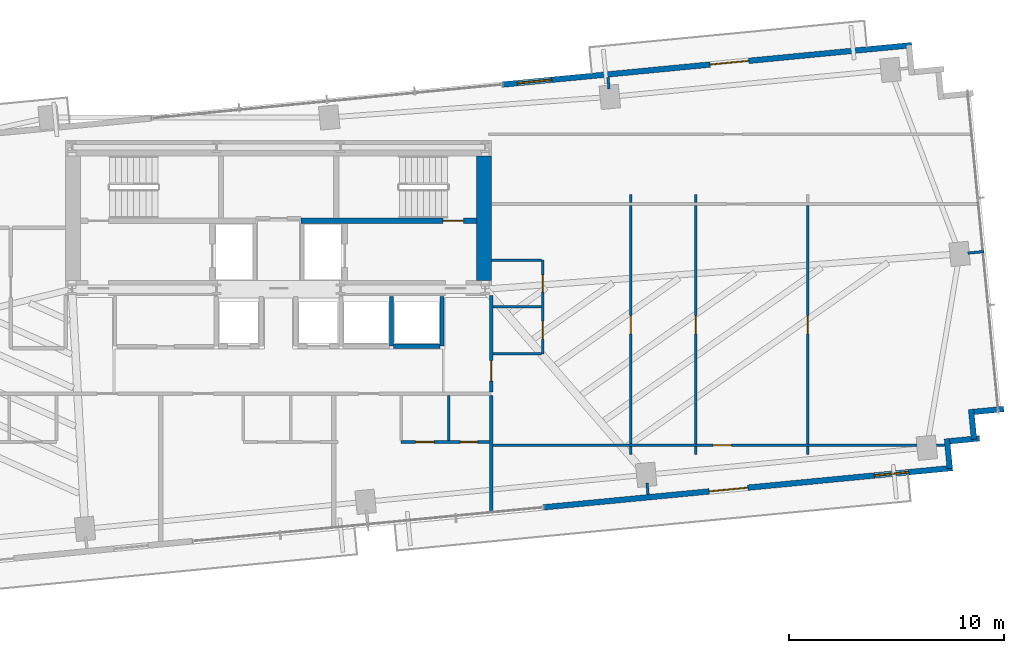
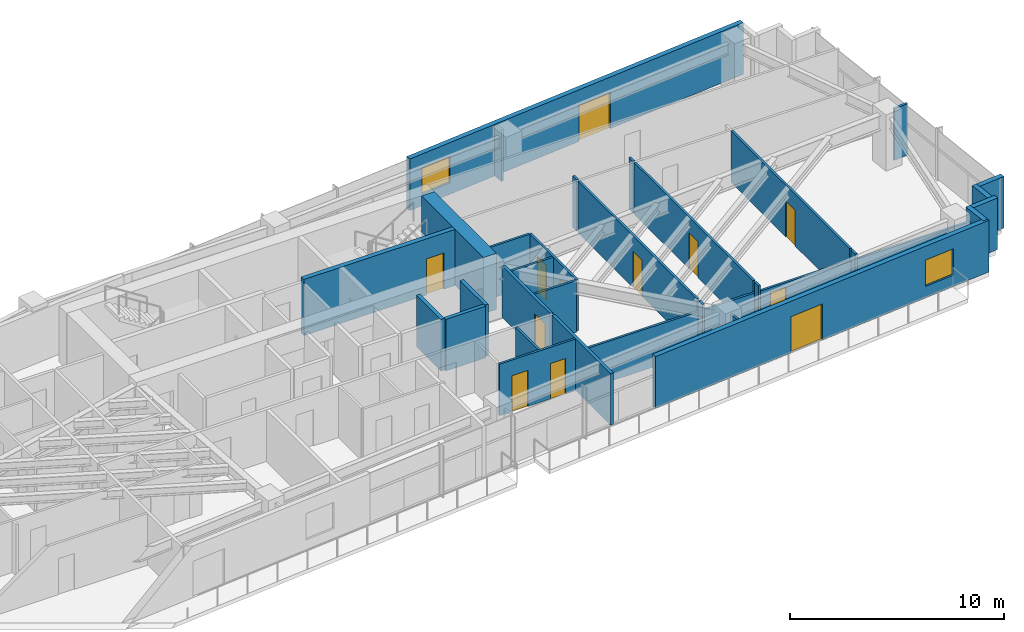
# One storey, part 21 of 25: 31 walls, 12 doors, 2 windows, 14 openings.
"""IFC4 building model written with IfcOpenShell, lengths in metres."""

from ifc_helpers import new_model, si_unit, direction, frame, frame_2d, origin, place, context, subcontext, project, spatial, rectangle, extrude, source, transform, mapped, material, layer, layer_set, type_object, type_shapes, element, fill, save


model = new_model("IFC4")

# Units and contexts
model_context = context("Model", 3, precision=1e-05, world=origin(), true_north=direction((0.0, 1.0)))
body_context = subcontext(model_context, "Body", "Model", "MODEL_VIEW")
ifc_project = project(units=[si_unit("LENGTHUNIT", "METRE"), si_unit("AREAUNIT", "SQUARE_METRE"), si_unit("VOLUMEUNIT", "CUBIC_METRE"), si_unit("PLANEANGLEUNIT", "RADIAN"), si_unit("MASSUNIT", "GRAM", prefix="KILO")], contexts=[model_context])

# Site, building, storey
site_placement = place(None, origin())
site = spatial("IfcSite", under=ifc_project, at=site_placement, CompositionType="ELEMENT")
building_placement = place(site_placement, origin())
building = spatial("IfcBuilding", under=site, at=building_placement, Name="Astriad Promenade Condominiums", CompositionType="ELEMENT")
storey_placement = place(building_placement, frame((0.0, 0.0, 106.60009765625)))
storey = spatial("IfcBuildingStorey", under=building, at=storey_placement, Name="L30", CompositionType="ELEMENT", Elevation=106.60009765625)

# Wall
ifc_material_1 = material(Name="Concrete C60/75", Category="concrete")
ifc_layer_1 = layer(ifc_material_1, 0.699951171875)
ifc_layer_set_1 = layer_set([ifc_layer_1], Name="Concrete C60/75")
wall_type_1 = type_object("IfcWallType", Name="CW-SHEAR-700", PredefinedType="SHEAR", material=ifc_layer_set_1)
wall_1_placement = place(storey_placement, frame((45.550048828125, 17.802001953125, 0.0), z_axis=(0.0, 0.0, 1.0), x_axis=(0.0, 1.0, 0.0)))
element("IfcWall", 1, at=wall_1_placement, inside=storey, type_object=wall_type_1, Name="CW-CORE-E-L30", PredefinedType="SHEAR", context=body_context, shape_type="SweptSolid", body=[
    extrude(rectangle(XDim=5.7958984375, YDim=0.699951171875, at=frame_2d((2.89794921875, 0.0))), origin(), (0.0, 0.0, 1.0), 3.199951171875),
])

# Wall, opening, door
ifc_material_2 = material(Name="Concrete C50/60", Category="concrete")
ifc_layer_2 = layer(ifc_material_2, 0.25)
ifc_layer_set_2 = layer_set([ifc_layer_2], Name="Concrete C50/60")
wall_type_2 = type_object("IfcWallType", Name="WALL-CORE-INT-250", PredefinedType="SOLIDWALL", material=ifc_layer_set_2)
wall_2_placement = place(storey_placement, frame((37.050048828125, 20.574951171875, 0.0), z_axis=(0.0, 0.0, 1.0), x_axis=(1.0, 0.0, 0.0)))
wall_2 = element("IfcWall", 2, at=wall_2_placement, inside=storey, type_object=wall_type_2, Name="CW-INT-H2-L30", PredefinedType="SOLIDWALL", context=body_context, shape_type="SweptSolid", body=[
    extrude(rectangle(XDim=8.14794921875, YDim=0.25, at=frame_2d((4.073974609375, 0.0))), origin(), (0.0, 0.0, 1.0), 3.199951171875),
])
opening_1_placement = place(wall_2_placement, frame((6.60009765625, 0.0, 0.0)))
opening_1 = element("IfcOpeningElement", 3, at=opening_1_placement, cuts=wall_2, Name="Opening FD90-ST-095", PredefinedType="OPENING", context=body_context, shape_type="SweptSolid", body=[
    extrude(rectangle(XDim=0.949951171875, YDim=2.06005859375, at=frame_2d((0.47509765625, 1.030029296875))), frame((0.0, 0.135009765625, 0.0), z_axis=(0.0, -1.0, 0.0), x_axis=(1.0, 0.0, 0.0)), (0.0, 0.0, 1.0), 0.27001953125),
])
ifc_material_3 = material(Name="Fire-Rated Hollow Metal Stair Door")
door_type_1 = type_object("IfcDoorType", Name="FD90-ST-095", OperationType="NOTDEFINED", PredefinedType="DOOR", material=ifc_material_3)
shared_shape_1 = source(origin(), body_context, "Body", "SweptSolid", [
    extrude(rectangle(XDim=0.949951171875, YDim=2.06005859375, at=frame_2d((0.47509765625, 1.030029296875))), frame((0.0, 0.02490234375, 0.0), z_axis=(0.0, -1.0, 0.0), x_axis=(1.0, 0.0, 0.0)), (0.0, 0.0, 1.0), 0.050048828125),
])
type_shapes(door_type_1, [shared_shape_1])
door_1_placement = place(opening_1_placement, origin())
door_1 = element("IfcDoor", 4, at=door_1_placement, inside=storey, type_object=door_type_1, Name="D-ST2-L30", OperationType="SINGLE_SWING_LEFT", OverallHeight=2.06005859375, OverallWidth=0.949951171875, PredefinedType="DOOR", context=body_context, shape_type="MappedRepresentation", body=[
    mapped(shared_shape_1, transform((0.0, 0.0, 0.0), scale=1.0)),
])
fill(opening_1, door_1)

# Wall
ifc_material_4 = material(Name="Fire-Rated Gypsum Partition")
ifc_layer_3 = layer(ifc_material_4, 0.159912109375)
ifc_layer_set_3 = layer_set([ifc_layer_3], Name="Fire-Rated Gypsum Partition")
wall_type_3 = type_object("IfcWallType", Name="WALL-CORR-160", PredefinedType="PARTITIONING", material=ifc_layer_set_3)
wall_3_placement = place(storey_placement, frame((45.8798828125, 6.977294921875, 0.0), z_axis=(0.0, 0.0, 1.0), x_axis=(0.0, 1.0, 0.0)))
element("IfcWall", 5, at=wall_3_placement, inside=storey, type_object=wall_type_3, Name="PT-COR-E-L30", PredefinedType="PARTITIONING", context=body_context, shape_type="SweptSolid", body=[
    extrude(rectangle(XDim=5.49072265625, YDim=0.159912109375, at=frame_2d((2.745361328125, 0.0))), origin(), (0.0, 0.0, 1.0), 2.93994140625),
])

# Wall, opening, door
wall_4_placement = place(storey_placement, frame((45.8798828125, 12.632080078125, 0.0), z_axis=(0.0, 0.0, 1.0), x_axis=(0.0, 1.0, 0.0)))
wall_4 = element("IfcWall", 6, at=wall_4_placement, inside=storey, type_object=wall_type_3, Name="PT-COR-E-L30-S2", PredefinedType="PARTITIONING", context=body_context, shape_type="SweptSolid", body=[
    extrude(rectangle(XDim=4.4658203125, YDim=0.159912109375, at=frame_2d((2.23291015625, 0.0))), origin(), (0.0, 0.0, 1.0), 2.93994140625),
])
opening_2_placement = place(wall_4_placement, frame((0.492919921875, 0.0, 0.0)))
opening_2 = element("IfcOpeningElement", 7, at=opening_2_placement, cuts=wall_4, Name="Opening FD60-APT-095", PredefinedType="OPENING", context=body_context, shape_type="SweptSolid", body=[
    extrude(rectangle(XDim=0.949951171875, YDim=2.06005859375, at=frame_2d((0.47509765625, 1.030029296875))), frame((0.0, 0.08984375, 0.0), z_axis=(0.0, -1.0, 0.0), x_axis=(1.0, 0.0, 0.0)), (0.0, 0.0, 1.0), 0.179931640625),
])
ifc_material_5 = material(Name="Solid-Core Acoustic Timber Residence Entry Door", Category="wood")
door_type_2 = type_object("IfcDoorType", Name="FD60-APT-095", OperationType="NOTDEFINED", PredefinedType="DOOR", material=ifc_material_5)
shared_shape_2 = source(origin(), body_context, "Body", "SweptSolid", [
    extrude(rectangle(XDim=0.949951171875, YDim=2.06005859375, at=frame_2d((0.47509765625, 1.030029296875))), frame((0.0, 0.02490234375, 0.0), z_axis=(0.0, -1.0, 0.0), x_axis=(1.0, 0.0, 0.0)), (0.0, 0.0, 1.0), 0.050048828125),
])
type_shapes(door_type_2, [shared_shape_2])
door_2_placement = place(opening_2_placement, origin())
door_2 = element("IfcDoor", 8, at=door_2_placement, inside=storey, type_object=door_type_2, Name="D-ENT-L30-E1", OperationType="SINGLE_SWING_LEFT", OverallHeight=2.06005859375, OverallWidth=0.949951171875, PredefinedType="DOOR", context=body_context, shape_type="MappedRepresentation", body=[
    mapped(shared_shape_2, transform((0.0, 0.0, 0.0), scale=1.0)),
])
fill(opening_2, door_2)

# Wall, openings, door, window
ifc_material_6 = material(Name="Precast concrete C50/60", Category="concrete")
ifc_layer_4 = layer(ifc_material_6, 0.260009765625)
ifc_layer_set_4 = layer_set([ifc_layer_4], Name="Precast concrete C50/60")
wall_type_4 = type_object("IfcWallType", Name="WALL-EXT-TWR-260", PredefinedType="STANDARD", material=ifc_layer_set_4)
wall_5_placement = place(storey_placement, frame((46.40625, 26.90966796875, 0.0), z_axis=(0.0, 0.0, 1.0), x_axis=(0.995396638587, 0.095841180552, 0.0)))
wall_5 = element("IfcWall", 9, at=wall_5_placement, inside=storey, type_object=wall_type_4, Name="W-EXT-L30-N2", PredefinedType="STANDARD", context=body_context, shape_type="SweptSolid", body=[
    extrude(rectangle(XDim=19.110107421875, YDim=0.260009765625, at=frame_2d((9.55517578125, 0.0))), origin(), (0.0, 0.0, 1.0), 2.93994140625),
])
opening_3_placement = place(wall_5_placement, frame((9.68994140625, 0.0, 0.0)))
opening_3 = element("IfcOpeningElement", 10, at=opening_3_placement, cuts=wall_5, Name="Opening BD-1822-SLD", PredefinedType="OPENING", context=body_context, shape_type="SweptSolid", body=[
    extrude(rectangle(XDim=1.800048828125, YDim=2.06005859375, at=frame_2d((0.89990234375, 1.030029296875))), frame((0.0, 0.139892578125, 0.0), z_axis=(0.0, -1.0, 0.0), x_axis=(1.0, 0.0, 0.0)), (0.0, 0.0, 1.0), 0.280029296875),
])
opening_4_placement = place(wall_5_placement, frame((0.699951171875, 0.0, 0.64990234375)))
opening_4 = element("IfcOpeningElement", 11, at=opening_4_placement, cuts=wall_5, Name="Opening WIN-TWR-1620", PredefinedType="OPENING", context=body_context, shape_type="SweptSolid", body=[
    extrude(rectangle(XDim=1.60009765625, YDim=1.5, at=frame_2d((0.800048828125, 0.75))), frame((0.0, 0.139892578125, 0.0), z_axis=(0.0, -1.0, 0.0), x_axis=(1.0, 0.0, 0.0)), (0.0, 0.0, 1.0), 0.280029296875),
])
ifc_material_7 = material(Name="Thermally Broken Aluminium Sliding Balcony Door", Category="aluminium")
door_type_3 = type_object("IfcDoorType", Name="BD-1822-SLD", OperationType="NOTDEFINED", PredefinedType="DOOR", material=ifc_material_7)
shared_shape_3 = source(origin(), body_context, "Body", "SweptSolid", [
    extrude(rectangle(XDim=1.800048828125, YDim=2.06005859375, at=frame_2d((0.89990234375, 1.030029296875))), frame((0.0, 0.02490234375, 0.0), z_axis=(0.0, -1.0, 0.0), x_axis=(1.0, 0.0, 0.0)), (0.0, 0.0, 1.0), 0.050048828125),
])
type_shapes(door_type_3, [shared_shape_3])
door_3_placement = place(opening_3_placement, origin())
door_3 = element("IfcDoor", 12, at=door_3_placement, inside=storey, type_object=door_type_3, Name="BD-L30-NE", OperationType="SLIDING_TO_RIGHT", OverallHeight=2.06005859375, OverallWidth=1.800048828125, PredefinedType="DOOR", context=body_context, shape_type="MappedRepresentation", body=[
    mapped(shared_shape_3, transform((0.0, 0.0, 0.0), scale=1.0)),
])
fill(opening_3, door_3)
ifc_material_8 = material(Name="Dark Tinted Triple-Glazed Aluminium Window", Category="aluminium")
window_type = type_object("IfcWindowType", Name="WIN-TWR-1620", PartitioningType="SINGLE_PANEL", PredefinedType="WINDOW", material=ifc_material_8)
shared_shape_4 = source(origin(), body_context, "Body", "SweptSolid", [
    extrude(rectangle(XDim=1.60009765625, YDim=1.5, at=frame_2d((0.800048828125, 0.75))), frame((0.0, 0.030029296875, 0.0), z_axis=(0.0, -1.0, 0.0), x_axis=(1.0, 0.0, 0.0)), (0.0, 0.0, 1.0), 0.06005859375),
])
type_shapes(window_type, [shared_shape_4])
window_1_placement = place(opening_4_placement, origin())
window_1 = element("IfcWindow", 13, at=window_1_placement, inside=storey, type_object=window_type, Name="WIN-L30-NE", OverallHeight=1.5, OverallWidth=1.60009765625, PartitioningType="SINGLE_PANEL", PredefinedType="WINDOW", context=body_context, shape_type="MappedRepresentation", body=[
    mapped(shared_shape_4, transform((0.0, 0.0, 0.0), scale=1.0)),
])
fill(opening_4, window_1)

# Walls
for number, where, z_axis, x_axis, name in (
    (14, (69.698486328125, 11.83251953125, 0.0), (0.0, 0.0, 1.0), (-0.99540614245, -0.095742423056, 0.0), "W-SER-L30-14"),
    (15, (68.18310546875, 11.817138671875, 0.0), (0.0, 0.0, 1.0), (0.095915846097, -0.995389446633, 0.0), "W-SER-L30-15"),
):
    element("IfcWall", number, at=place(storey_placement, frame(where, z_axis=z_axis, x_axis=x_axis)), inside=storey, type_object=wall_type_4, Name=name, PredefinedType="STANDARD", context=body_context, shape_type="SweptSolid", body=[
        extrude(rectangle(XDim=1.394775390625, YDim=0.260009765625, at=frame_2d((0.697265625, 0.0))), origin(), (0.0, 0.0, 1.0), 2.93994140625),
    ])
wall_6_placement = place(storey_placement, frame((68.57421875, 10.468505859375, 0.0), z_axis=(0.0, 0.0, 1.0), x_axis=(-0.99540774648, -0.095725744959, 0.0)))
element("IfcWall", 16, at=wall_6_placement, inside=storey, type_object=wall_type_4, Name="W-SER-L30-16", PredefinedType="STANDARD", context=body_context, shape_type="SweptSolid", body=[
    extrude(rectangle(XDim=1.39501953125, YDim=0.260009765625, at=frame_2d((0.697509765625, 0.0))), origin(), (0.0, 0.0, 1.0), 2.93994140625),
])
wall_7_placement = place(storey_placement, frame((67.05859375, 10.453125, 0.0), z_axis=(0.0, 0.0, 1.0), x_axis=(0.095915846097, -0.995389446633, 0.0)))
element("IfcWall", 17, at=wall_7_placement, inside=storey, type_object=wall_type_4, Name="W-SER-L30-17", PredefinedType="STANDARD", context=body_context, shape_type="SweptSolid", body=[
    extrude(rectangle(XDim=1.394775390625, YDim=0.260009765625, at=frame_2d((0.697265625, 0.0))), origin(), (0.0, 0.0, 1.0), 2.93994140625),
])

# Wall, openings, door, window
wall_8_placement = place(storey_placement, frame((67.3203125, 9.092041015625, 0.0), z_axis=(0.0, 0.0, 1.0), x_axis=(-0.995396521236, -0.095842399342, 0.0)))
wall_8 = element("IfcWall", 18, at=wall_8_placement, inside=storey, type_object=wall_type_4, Name="W-EXT-L30-S1", PredefinedType="STANDARD", context=body_context, shape_type="SweptSolid", body=[
    extrude(rectangle(XDim=19.10986328125, YDim=0.260009765625, at=frame_2d((9.554931640625, 0.0))), origin(), (0.0, 0.0, 1.0), 2.93994140625),
])
opening_5_placement = place(wall_8_placement, frame((9.56298828125, 0.0, 0.0)))
opening_5 = element("IfcOpeningElement", 19, at=opening_5_placement, cuts=wall_8, Name="Opening BD-1822-SLD", PredefinedType="OPENING", context=body_context, shape_type="SweptSolid", body=[
    extrude(rectangle(XDim=1.800048828125, YDim=2.06005859375, at=frame_2d((0.89990234375, 1.030029296875))), frame((0.0, 0.139892578125, 0.0), z_axis=(0.0, -1.0, 0.0), x_axis=(1.0, 0.0, 0.0)), (0.0, 0.0, 1.0), 0.280029296875),
])
opening_6_placement = place(wall_8_placement, frame((2.050048828125, 0.0, 0.64990234375)))
opening_6 = element("IfcOpeningElement", 20, at=opening_6_placement, cuts=wall_8, Name="Opening WIN-TWR-1620", PredefinedType="OPENING", context=body_context, shape_type="SweptSolid", body=[
    extrude(rectangle(XDim=1.60009765625, YDim=1.5, at=frame_2d((0.800048828125, 0.75))), frame((0.0, 0.139892578125, 0.0), z_axis=(0.0, -1.0, 0.0), x_axis=(1.0, 0.0, 0.0)), (0.0, 0.0, 1.0), 0.280029296875),
])
door_4_placement = place(opening_5_placement, origin())
door_4 = element("IfcDoor", 21, at=door_4_placement, inside=storey, type_object=door_type_3, Name="BD-L30-SE", OperationType="SLIDING_TO_RIGHT", OverallHeight=2.06005859375, OverallWidth=1.800048828125, PredefinedType="DOOR", context=body_context, shape_type="MappedRepresentation", body=[
    mapped(shared_shape_3, transform((0.0, 0.0, 0.0), scale=1.0)),
])
fill(opening_5, door_4)
window_2_placement = place(opening_6_placement, origin())
window_2 = element("IfcWindow", 22, at=window_2_placement, inside=storey, type_object=window_type, Name="WIN-L30-SE", OverallHeight=1.5, OverallWidth=1.60009765625, PartitioningType="SINGLE_PANEL", PredefinedType="WINDOW", context=body_context, shape_type="MappedRepresentation", body=[
    mapped(shared_shape_4, transform((0.0, 0.0, 0.0), scale=1.0)),
])
fill(opening_6, window_2)

# Wall, openings, doors
ifc_material_9 = material(Name="Acoustic Metal-Stud Gypsum Partition")
ifc_layer_5 = layer(ifc_material_9, 0.1201171875)
ifc_layer_set_5 = layer_set([ifc_layer_5], Name="Acoustic Metal-Stud Gypsum Partition")
wall_type_5 = type_object("IfcWallType", Name="WALL-PART-120", PredefinedType="PARTITIONING", material=ifc_layer_set_5)
wall_9_placement = place(storey_placement, frame((41.699951171875, 10.300048828125, 0.0), z_axis=(0.0, 0.0, 1.0), x_axis=(1.0, 0.0, 0.0)))
wall_9 = element("IfcWall", 23, at=wall_9_placement, inside=storey, type_object=wall_type_5, Name="PT-L30-S3-PS", PredefinedType="PARTITIONING", context=body_context, shape_type="SweptSolid", body=[
    extrude(rectangle(XDim=4.09814453125, YDim=0.1201171875, at=frame_2d((2.049072265625, 0.0))), origin(), (0.0, 0.0, 1.0), 2.93994140625),
])
opening_7_placement = place(wall_9_placement, frame((0.675048828125, 0.0, 0.0)))
opening_7 = element("IfcOpeningElement", 24, at=opening_7_placement, cuts=wall_9, Name="Opening D-INT-085", PredefinedType="OPENING", context=body_context, shape_type="SweptSolid", body=[
    extrude(rectangle(XDim=0.85009765625, YDim=2.050048828125, at=frame_2d((0.425048828125, 1.02490234375))), frame((0.0, 0.070068359375, 0.0), z_axis=(0.0, -1.0, 0.0), x_axis=(1.0, 0.0, 0.0)), (0.0, 0.0, 1.0), 0.14013671875),
])
opening_8_placement = place(wall_9_placement, frame((2.75, 0.0, 0.0)))
opening_8 = element("IfcOpeningElement", 25, at=opening_8_placement, cuts=wall_9, Name="Opening D-WET-080", PredefinedType="OPENING", context=body_context, shape_type="SweptSolid", body=[
    extrude(rectangle(XDim=0.800048828125, YDim=2.02001953125, at=frame_2d((0.39990234375, 1.010009765625))), frame((0.0, 0.070068359375, 0.0), z_axis=(0.0, -1.0, 0.0), x_axis=(1.0, 0.0, 0.0)), (0.0, 0.0, 1.0), 0.14013671875),
])
ifc_material_10 = material(Name="Moisture-Resistant Timber Bathroom Door", Category="wood")
door_type_4 = type_object("IfcDoorType", Name="D-WET-080", OperationType="NOTDEFINED", PredefinedType="DOOR", material=ifc_material_10)
shared_shape_5 = source(origin(), body_context, "Body", "SweptSolid", [
    extrude(rectangle(XDim=0.800048828125, YDim=2.02001953125, at=frame_2d((0.39990234375, 1.010009765625))), frame((0.0, 0.02490234375, 0.0), z_axis=(0.0, -1.0, 0.0), x_axis=(1.0, 0.0, 0.0)), (0.0, 0.0, 1.0), 0.050048828125),
])
type_shapes(door_type_4, [shared_shape_5])
door_5_placement = place(opening_8_placement, origin())
door_5 = element("IfcDoor", 26, at=door_5_placement, inside=storey, type_object=door_type_4, Name="D-BTH-L30-S3", OperationType="SINGLE_SWING_RIGHT", OverallHeight=2.02001953125, OverallWidth=0.800048828125, PredefinedType="DOOR", context=body_context, shape_type="MappedRepresentation", body=[
    mapped(shared_shape_5, transform((0.0, 0.0, 0.0), scale=1.0)),
])
fill(opening_8, door_5)
ifc_material_11 = material(Name="Painted Solid-Core Timber Room Door", Category="wood")
door_type_5 = type_object("IfcDoorType", Name="D-INT-085", OperationType="NOTDEFINED", PredefinedType="DOOR", material=ifc_material_11)
shared_shape_6 = source(origin(), body_context, "Body", "SweptSolid", [
    extrude(rectangle(XDim=0.85009765625, YDim=2.050048828125, at=frame_2d((0.425048828125, 1.02490234375))), frame((0.0, 0.02490234375, 0.0), z_axis=(0.0, -1.0, 0.0), x_axis=(1.0, 0.0, 0.0)), (0.0, 0.0, 1.0), 0.050048828125),
])
type_shapes(door_type_5, [shared_shape_6])
door_6_placement = place(opening_7_placement, origin())
door_6 = element("IfcDoor", 27, at=door_6_placement, inside=storey, type_object=door_type_5, Name="D-KIT-L30-S3", OperationType="SINGLE_SWING_LEFT", OverallHeight=2.050048828125, OverallWidth=0.85009765625, PredefinedType="DOOR", context=body_context, shape_type="MappedRepresentation", body=[
    mapped(shared_shape_6, transform((0.0, 0.0, 0.0), scale=1.0)),
])
fill(opening_7, door_6)

# Wall
wall_10_placement = place(storey_placement, frame((43.89990234375, 10.362060546875, 0.0), z_axis=(0.0, 0.0, 1.0), x_axis=(0.0, 1.0, 0.0)))
element("IfcWall", 28, at=wall_10_placement, inside=storey, type_object=wall_type_5, Name="PT-L30-S3-PB", PredefinedType="PARTITIONING", context=body_context, shape_type="SweptSolid", body=[
    extrude(rectangle(XDim=2.10595703125, YDim=0.1201171875, at=frame_2d((1.052978515625, 0.0))), origin(), (0.0, 0.0, 1.0), 2.93994140625),
])

# Wall, openings, doors
wall_11_placement = place(storey_placement, frame((48.280029296875, 14.39990234375, 0.0), z_axis=(0.0, 0.0, 1.0), x_axis=(0.0, 1.0, 0.0)))
wall_11 = element("IfcWall", 29, at=wall_11_placement, inside=storey, type_object=wall_type_5, Name="PT-L30-E1-PV", PredefinedType="PARTITIONING", context=body_context, shape_type="SweptSolid", body=[
    extrude(rectangle(XDim=4.35009765625, YDim=0.1201171875, at=frame_2d((2.175048828125, 0.0))), origin(), (0.0, 0.0, 1.0), 2.93994140625),
])
opening_9_placement = place(wall_11_placement, frame((0.6630859375, 0.0, 0.0)))
opening_9 = element("IfcOpeningElement", 30, at=opening_9_placement, cuts=wall_11, Name="Opening D-INT-085", PredefinedType="OPENING", context=body_context, shape_type="SweptSolid", body=[
    extrude(rectangle(XDim=0.85009765625, YDim=2.050048828125, at=frame_2d((0.425048828125, 1.02490234375))), frame((0.0, 0.070068359375, 0.0), z_axis=(0.0, -1.0, 0.0), x_axis=(1.0, 0.0, 0.0)), (0.0, 0.0, 1.0), 0.14013671875),
])
opening_10_placement = place(wall_11_placement, frame((2.863037109375, 0.0, 0.0)))
opening_10 = element("IfcOpeningElement", 31, at=opening_10_placement, cuts=wall_11, Name="Opening D-WET-080", PredefinedType="OPENING", context=body_context, shape_type="SweptSolid", body=[
    extrude(rectangle(XDim=0.800048828125, YDim=2.02001953125, at=frame_2d((0.39990234375, 1.010009765625))), frame((0.0, 0.070068359375, 0.0), z_axis=(0.0, -1.0, 0.0), x_axis=(1.0, 0.0, 0.0)), (0.0, 0.0, 1.0), 0.14013671875),
])
door_7_placement = place(opening_10_placement, origin())
door_7 = element("IfcDoor", 32, at=door_7_placement, inside=storey, type_object=door_type_4, Name="D-BTH-L30-E1", OperationType="SINGLE_SWING_LEFT", OverallHeight=2.02001953125, OverallWidth=0.800048828125, PredefinedType="DOOR", context=body_context, shape_type="MappedRepresentation", body=[
    mapped(shared_shape_5, transform((0.0, 0.0, 0.0), scale=1.0)),
])
fill(opening_10, door_7)
door_8_placement = place(opening_9_placement, origin())
door_8 = element("IfcDoor", 33, at=door_8_placement, inside=storey, type_object=door_type_5, Name="D-KIT-L30-E1", OperationType="SINGLE_SWING_RIGHT", OverallHeight=2.050048828125, OverallWidth=0.85009765625, PredefinedType="DOOR", context=body_context, shape_type="MappedRepresentation", body=[
    mapped(shared_shape_6, transform((0.0, 0.0, 0.0), scale=1.0)),
])
fill(opening_9, door_8)

# Walls
for number, where, z_axis, x_axis, name in (
    (34, (45.9619140625, 16.574951171875, 0.0), (0.0, 0.0, 1.0), (1.0, 0.0, 0.0), "PT-L30-E1-PM"),
    (35, (45.9619140625, 14.39990234375, 0.0), (0.0, 0.0, 1.0), (1.0, 0.0, 0.0), "PT-L30-E1-PS"),
):
    element("IfcWall", number, at=place(storey_placement, frame(where, z_axis=z_axis, x_axis=x_axis)), inside=storey, type_object=wall_type_5, Name=name, PredefinedType="PARTITIONING", context=body_context, shape_type="SweptSolid", body=[
        extrude(rectangle(XDim=2.256103515625, YDim=0.1201171875, at=frame_2d((1.1279296875, 0.0))), origin(), (0.0, 0.0, 1.0), 2.93994140625),
    ])
wall_12_placement = place(storey_placement, frame((45.902099609375, 18.75, 0.0), z_axis=(0.0, 0.0, 1.0), x_axis=(1.0, 0.0, 0.0)))
element("IfcWall", 36, at=wall_12_placement, inside=storey, type_object=wall_type_5, Name="PT-L30-E1-PN", PredefinedType="PARTITIONING", context=body_context, shape_type="SweptSolid", body=[
    extrude(rectangle(XDim=2.31591796875, YDim=0.1201171875, at=frame_2d((1.157958984375, 0.0))), origin(), (0.0, 0.0, 1.0), 2.93994140625),
])

# Wall, opening, door
wall_13_placement = place(storey_placement, frame((45.9619140625, 10.14697265625, 0.0), z_axis=(0.0, 0.0, 1.0), x_axis=(1.0, 0.0, 0.0)))
wall_13 = element("IfcWall", 37, at=wall_13_placement, inside=storey, type_object=wall_type_5, Name="PT-L30-E1-WDS3", PredefinedType="PARTITIONING", context=body_context, shape_type="SweptSolid", body=[
    extrude(rectangle(XDim=20.99365234375, YDim=0.1201171875, at=frame_2d((10.496826171875, 0.0))), origin(), (0.0, 0.0, 1.0), 2.309814453125),
])
opening_11_placement = place(wall_13_placement, frame((10.22705078125, 0.0, 0.0)))
opening_11 = element("IfcOpeningElement", 38, at=opening_11_placement, cuts=wall_13, Name="Opening D-INT-085", PredefinedType="OPENING", context=body_context, shape_type="SweptSolid", body=[
    extrude(rectangle(XDim=0.85009765625, YDim=2.050048828125, at=frame_2d((0.425048828125, 1.02490234375))), frame((0.0, 0.070068359375, 0.0), z_axis=(0.0, -1.0, 0.0), x_axis=(1.0, 0.0, 0.0)), (0.0, 0.0, 1.0), 0.14013671875),
])
door_9_placement = place(opening_11_placement, origin())
door_9 = element("IfcDoor", 39, at=door_9_placement, inside=storey, type_object=door_type_5, Name="D-WDS3-L30-E1", OperationType="SINGLE_SWING_RIGHT", OverallHeight=2.050048828125, OverallWidth=0.85009765625, PredefinedType="DOOR", context=body_context, shape_type="MappedRepresentation", body=[
    mapped(shared_shape_6, transform((0.0, 0.0, 0.0), scale=1.0)),
])
fill(opening_11, door_9)

# Wall
wall_14_placement = place(storey_placement, frame((60.596923828125, 9.70703125, 0.0), z_axis=(0.0, 0.0, 1.0), x_axis=(0.0, 1.0, 0.0)))
element("IfcWall", 40, at=wall_14_placement, inside=storey, type_object=wall_type_5, Name="PT-L30-E1-WDV4", PredefinedType="PARTITIONING", context=body_context, shape_type="SweptSolid", body=[
    extrude(rectangle(XDim=0.3779296875, YDim=0.1201171875, at=frame_2d((0.18896484375, 0.0))), origin(), (0.0, 0.0, 1.0), 2.93994140625),
])

# Wall, opening, door
wall_15_placement = place(storey_placement, frame((60.596923828125, 10.208984375, 0.0), z_axis=(0.0, 0.0, 1.0), x_axis=(0.0, 1.0, 0.0)))
wall_15 = element("IfcWall", 41, at=wall_15_placement, inside=storey, type_object=wall_type_5, Name="PT-L30-E1-WDV4-S2", PredefinedType="PARTITIONING", context=body_context, shape_type="SweptSolid", body=[
    extrude(rectangle(XDim=11.0869140625, YDim=0.1201171875, at=frame_2d((5.54345703125, 0.0))), origin(), (0.0, 0.0, 1.0), 2.93994140625),
])
opening_12_placement = place(wall_15_placement, frame((5.117919921875, 0.0, 0.0)))
opening_12 = element("IfcOpeningElement", 42, at=opening_12_placement, cuts=wall_15, Name="Opening D-INT-085", PredefinedType="OPENING", context=body_context, shape_type="SweptSolid", body=[
    extrude(rectangle(XDim=0.85009765625, YDim=2.050048828125, at=frame_2d((0.425048828125, 1.02490234375))), frame((0.0, 0.070068359375, 0.0), z_axis=(0.0, -1.0, 0.0), x_axis=(1.0, 0.0, 0.0)), (0.0, 0.0, 1.0), 0.14013671875),
])
door_10_placement = place(opening_12_placement, origin())
door_10 = element("IfcDoor", 43, at=door_10_placement, inside=storey, type_object=door_type_5, Name="D-WDV4-L30-E1", OperationType="SINGLE_SWING_LEFT", OverallHeight=2.050048828125, OverallWidth=0.85009765625, PredefinedType="DOOR", context=body_context, shape_type="MappedRepresentation", body=[
    mapped(shared_shape_6, transform((0.0, 0.0, 0.0), scale=1.0)),
])
fill(opening_12, door_10)

# Wall
wall_16_placement = place(storey_placement, frame((55.388916015625, 9.70703125, 0.0), z_axis=(0.0, 0.0, 1.0), x_axis=(0.0, 1.0, 0.0)))
element("IfcWall", 44, at=wall_16_placement, inside=storey, type_object=wall_type_5, Name="PT-L30-E1-WDV5", PredefinedType="PARTITIONING", context=body_context, shape_type="SweptSolid", body=[
    extrude(rectangle(XDim=0.3779296875, YDim=0.1201171875, at=frame_2d((0.18896484375, 0.0))), origin(), (0.0, 0.0, 1.0), 2.93994140625),
])

# Wall, opening, door
wall_17_placement = place(storey_placement, frame((55.388916015625, 10.208984375, 0.0), z_axis=(0.0, 0.0, 1.0), x_axis=(0.0, 1.0, 0.0)))
wall_17 = element("IfcWall", 45, at=wall_17_placement, inside=storey, type_object=wall_type_5, Name="PT-L30-E1-WDV5-S2", PredefinedType="PARTITIONING", context=body_context, shape_type="SweptSolid", body=[
    extrude(rectangle(XDim=11.0869140625, YDim=0.1201171875, at=frame_2d((5.54345703125, 0.0))), origin(), (0.0, 0.0, 1.0), 2.93994140625),
])
opening_13_placement = place(wall_17_placement, frame((5.117919921875, 0.0, 0.0)))
opening_13 = element("IfcOpeningElement", 46, at=opening_13_placement, cuts=wall_17, Name="Opening D-INT-085", PredefinedType="OPENING", context=body_context, shape_type="SweptSolid", body=[
    extrude(rectangle(XDim=0.85009765625, YDim=2.050048828125, at=frame_2d((0.425048828125, 1.02490234375))), frame((0.0, 0.070068359375, 0.0), z_axis=(0.0, -1.0, 0.0), x_axis=(1.0, 0.0, 0.0)), (0.0, 0.0, 1.0), 0.14013671875),
])
door_11_placement = place(opening_13_placement, origin())
door_11 = element("IfcDoor", 47, at=door_11_placement, inside=storey, type_object=door_type_5, Name="D-WDV5-L30-E1", OperationType="SINGLE_SWING_RIGHT", OverallHeight=2.050048828125, OverallWidth=0.85009765625, PredefinedType="DOOR", context=body_context, shape_type="MappedRepresentation", body=[
    mapped(shared_shape_6, transform((0.0, 0.0, 0.0), scale=1.0)),
])
fill(opening_13, door_11)

# Walls
wall_18_placement = place(storey_placement, frame((55.388916015625, 21.419921875, 0.0), z_axis=(0.0, 0.0, 1.0), x_axis=(0.0, 1.0, 0.0)))
element("IfcWall", 48, at=wall_18_placement, inside=storey, type_object=wall_type_5, Name="PT-L30-E1-WDV5-S3", PredefinedType="PARTITIONING", context=body_context, shape_type="SweptSolid", body=[
    extrude(rectangle(XDim=0.378173828125, YDim=0.1201171875, at=frame_2d((0.18896484375, 0.0))), origin(), (0.0, 0.0, 1.0), 2.93994140625),
])
wall_19_placement = place(storey_placement, frame((52.367919921875, 9.70703125, 0.0), z_axis=(0.0, 0.0, 1.0), x_axis=(0.0, 1.0, 0.0)))
element("IfcWall", 49, at=wall_19_placement, inside=storey, type_object=wall_type_5, Name="PT-L30-E1-WDV6", PredefinedType="PARTITIONING", context=body_context, shape_type="SweptSolid", body=[
    extrude(rectangle(XDim=0.3779296875, YDim=0.1201171875, at=frame_2d((0.18896484375, 0.0))), origin(), (0.0, 0.0, 1.0), 2.93994140625),
])

# Wall, opening, door
wall_20_placement = place(storey_placement, frame((52.367919921875, 10.208984375, 0.0), z_axis=(0.0, 0.0, 1.0), x_axis=(0.0, 1.0, 0.0)))
wall_20 = element("IfcWall", 50, at=wall_20_placement, inside=storey, type_object=wall_type_5, Name="PT-L30-E1-WDV6-S2", PredefinedType="PARTITIONING", context=body_context, shape_type="SweptSolid", body=[
    extrude(rectangle(XDim=11.0869140625, YDim=0.1201171875, at=frame_2d((5.54345703125, 0.0))), origin(), (0.0, 0.0, 1.0), 2.93994140625),
])
opening_14_placement = place(wall_20_placement, frame((5.117919921875, 0.0, 0.0)))
opening_14 = element("IfcOpeningElement", 51, at=opening_14_placement, cuts=wall_20, Name="Opening D-INT-085", PredefinedType="OPENING", context=body_context, shape_type="SweptSolid", body=[
    extrude(rectangle(XDim=0.85009765625, YDim=2.050048828125, at=frame_2d((0.425048828125, 1.02490234375))), frame((0.0, 0.070068359375, 0.0), z_axis=(0.0, -1.0, 0.0), x_axis=(1.0, 0.0, 0.0)), (0.0, 0.0, 1.0), 0.14013671875),
])
door_12_placement = place(opening_14_placement, origin())
door_12 = element("IfcDoor", 52, at=door_12_placement, inside=storey, type_object=door_type_5, Name="D-WDV6-L30-E1", OperationType="SINGLE_SWING_LEFT", OverallHeight=2.050048828125, OverallWidth=0.85009765625, PredefinedType="DOOR", context=body_context, shape_type="MappedRepresentation", body=[
    mapped(shared_shape_6, transform((0.0, 0.0, 0.0), scale=1.0)),
])
fill(opening_14, door_12)

# Walls
wall_21_placement = place(storey_placement, frame((52.367919921875, 21.419921875, 0.0), z_axis=(0.0, 0.0, 1.0), x_axis=(0.0, 1.0, 0.0)))
element("IfcWall", 53, at=wall_21_placement, inside=storey, type_object=wall_type_5, Name="PT-L30-E1-WDV6-S3", PredefinedType="PARTITIONING", context=body_context, shape_type="SweptSolid", body=[
    extrude(rectangle(XDim=0.378173828125, YDim=0.1201171875, at=frame_2d((0.18896484375, 0.0))), origin(), (0.0, 0.0, 1.0), 2.93994140625),
])
wall_22_placement = place(storey_placement, frame((53.121337890625, 8.39794921875, 0.0), z_axis=(0.0, 0.0, 1.0), x_axis=(0.096179204763, -0.995364034196, 0.0)))
element("IfcWall", 54, at=wall_22_placement, inside=storey, type_object=wall_type_5, Name="PT-PIL-L30-PC04-11", PredefinedType="PARTITIONING", context=body_context, shape_type="SweptSolid", body=[
    extrude(rectangle(XDim=0.5380859375, YDim=0.1201171875, at=frame_2d((0.26904296875, 0.0))), origin(), (0.0, 0.0, 1.0), 2.93994140625),
])
wall_23_placement = place(storey_placement, frame((51.35791015625, 26.71337890625, 0.0), z_axis=(0.0, 0.0, 1.0), x_axis=(-0.095772948675, 0.995403205893, 0.0)))
element("IfcWall", 55, at=wall_23_placement, inside=storey, type_object=wall_type_5, Name="PT-PIL-L30-PC09-16", PredefinedType="PARTITIONING", context=body_context, shape_type="SweptSolid", body=[
    extrude(rectangle(XDim=0.537841796875, YDim=0.1201171875, at=frame_2d((0.26904296875, 0.0))), origin(), (0.0, 0.0, 1.0), 2.93994140625),
])
wall_24_placement = place(storey_placement, frame((68.026611328125, 19.07568359375, 0.0), z_axis=(0.0, 0.0, 1.0), x_axis=(0.995377786728, 0.096036772582, 0.0)))
element("IfcWall", 56, at=wall_24_placement, inside=storey, type_object=wall_type_5, Name="PT-PIL-L30-PC12-19", PredefinedType="PARTITIONING", context=body_context, shape_type="SweptSolid", body=[
    extrude(rectangle(XDim=0.760009765625, YDim=0.1201171875, at=frame_2d((0.3798828125, 0.0))), origin(), (0.0, 0.0, 1.0), 2.93994140625),
])
ifc_material_12 = material(Name="Gypsum Shaftliner Assembly")
ifc_layer_6 = layer(ifc_material_12, 0.199951171875)
ifc_layer_set_6 = layer_set([ifc_layer_6], Name="Gypsum Shaftliner Assembly")
wall_type_6 = type_object("IfcWallType", Name="WALL-SHAFT-200", PredefinedType="PARTITIONING", material=ifc_layer_set_6)
for number, where, z_axis, x_axis, name in (
    (57, (41.25, 14.75, 0.0), (0.0, 0.0, 1.0), (0.0, 1.0, 0.0), "PL-H-DIV-L30"),
    (58, (43.60009765625, 14.75, 0.0), (0.0, 0.0, 1.0), (0.0, 1.0, 0.0), "PL-E-OUT-L30"),
):
    element("IfcWall", number, at=place(storey_placement, frame(where, z_axis=z_axis, x_axis=x_axis)), inside=storey, type_object=wall_type_6, Name=name, PredefinedType="PARTITIONING", context=body_context, shape_type="SweptSolid", body=[
        extrude(rectangle(XDim=2.300048828125, YDim=0.199951171875, at=frame_2d((1.14990234375, 0.0))), origin(), (0.0, 0.0, 1.0), 2.93994140625),
    ])
wall_25_placement = place(storey_placement, frame((41.35205078125, 14.75, 0.0), z_axis=(0.0, 0.0, 1.0), x_axis=(1.0, 0.0, 0.0)))
element("IfcWall", 59, at=wall_25_placement, inside=storey, type_object=wall_type_6, Name="PL-H-FRT-L30-S2", PredefinedType="PARTITIONING", context=body_context, shape_type="SweptSolid", body=[
    extrude(rectangle(XDim=2.14599609375, YDim=0.199951171875, at=frame_2d((1.072998046875, 0.0))), origin(), (0.0, 0.0, 1.0), 2.93994140625),
])

save(model, "model.ifc")
